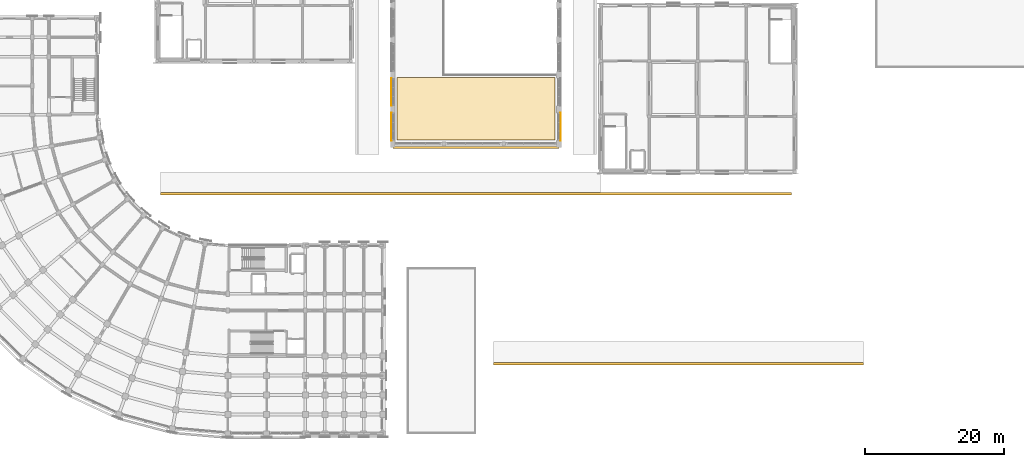
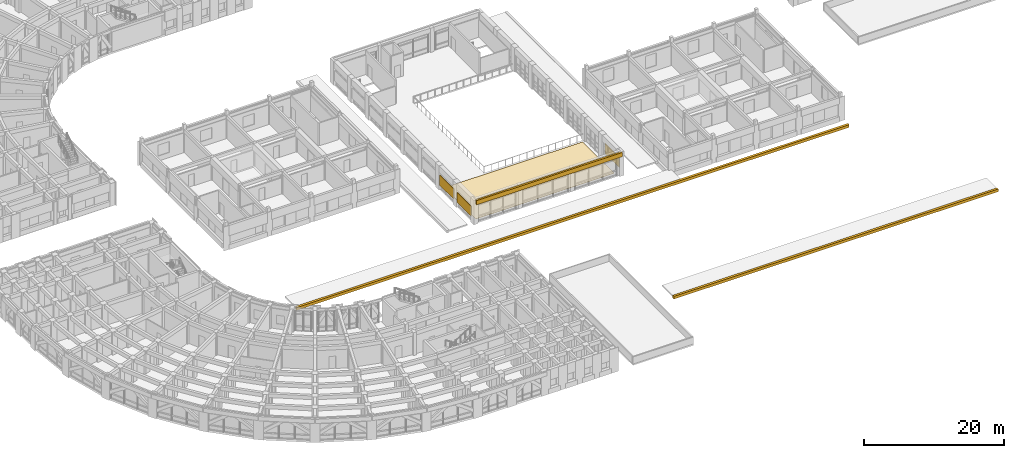
# One storey, part 86 of 97: 4 coverings, 3 shading devices.
"""IFC4 building model written with IfcOpenShell, lengths in metres."""

from ifc_helpers import new_model, si_unit, direction, frame, origin, origin_2d, place, context, subcontext, project, spatial, polyline, rectangle, outline, extrude, material, layer, layer_set, type_object, element, save


model = new_model("IFC4")

# Units and contexts
model_context = context("Model", 3, precision=1e-05, world=origin(), true_north=direction((0.0, 1.0)))
body_context = subcontext(model_context, "Body", "Model", "MODEL_VIEW")
ifc_project = project(units=[si_unit("LENGTHUNIT", "METRE"), si_unit("AREAUNIT", "SQUARE_METRE"), si_unit("VOLUMEUNIT", "CUBIC_METRE"), si_unit("PLANEANGLEUNIT", "RADIAN"), si_unit("MASSUNIT", "GRAM", prefix="KILO")], contexts=[model_context])

# Site, building, storey
site_placement = place(None, origin())
site = spatial("IfcSite", under=ifc_project, at=site_placement, CompositionType="ELEMENT")
building_placement = place(site_placement, origin())
building = spatial("IfcBuilding", under=site, at=building_placement, Name="Kiranvali Square Residences", CompositionType="ELEMENT")
storey_placement = place(building_placement, frame((0.0, 0.0, 4.5)))
storey = spatial("IfcBuildingStorey", under=building, at=storey_placement, Name="L01", CompositionType="ELEMENT", Elevation=4.5)

# Coverings
ifc_material_1 = material(Name="Carved Porbandar limestone classical entablature and cornice", Category="masonry")
ifc_layer_1 = layer(ifc_material_1, 0.449951171875)
ifc_layer_set_1 = layer_set([ifc_layer_1], Name="Carved Porbandar limestone classical entablature and cornice")
covering_type_1 = type_object("IfcCoveringType", Name="COV-CLAD-CORN", PredefinedType="CLADDING", material=ifc_layer_set_1)
covering_1_placement = place(storey_placement, frame((0.0, 0.0, 3.449951171875)))
element("IfcCovering", 1, at=covering_1_placement, inside=storey, type_object=covering_type_1, Name="Community Hall S Classical limestone vault springing entablature", PredefinedType="CLADDING", context=body_context, shape_type="SweptSolid", body=[
    extrude(outline(polyline([(72.0, 43.35009765625), (96.0, 43.35009765625), (96.0, 43.64794921875), (72.0, 43.64794921875), (72.0, 43.35009765625)])), origin(), (0.0, 0.0, 1.0), 0.72998046875),
])
covering_2_placement = place(storey_placement, frame((0.0, 0.0, 0.919921875)))
element("IfcCovering", 2, at=covering_2_placement, inside=storey, type_object=covering_type_1, Name="Classical Ottoman colonnade carved stone cornice CLAD-CORN-ARCSQ", PredefinedType="CLADDING", context=body_context, shape_type="SweptSolid", body=[
    extrude(outline(polyline([(86.5, 12.1201171875), (139.89990234375, 12.1201171875), (139.89990234375, 12.49951171875), (86.5, 12.49951171875), (86.5, 12.1201171875)])), origin(), (0.0, 0.0, 1.0), 0.4599609375),
])
covering_3_placement = place(storey_placement, frame((0.0, 0.0, 0.919921875)))
element("IfcCovering", 3, at=covering_3_placement, inside=storey, type_object=covering_type_1, Name="Classical Ottoman colonnade carved stone cornice CLAD-CORN-ARCGDNS", PredefinedType="CLADDING", context=body_context, shape_type="SweptSolid", body=[
    extrude(outline(polyline([(38.5, 36.6201171875), (129.5, 36.6201171875), (129.5, 36.99951171875), (38.5, 36.99951171875), (38.5, 36.6201171875)])), origin(), (0.0, 0.0, 1.0), 0.4599609375),
])
ifc_material_2 = material(Name="Polished terrazzo and anti-slip vitrified floor finish", Category="stone")
ifc_layer_2 = layer(ifc_material_2, 0.0380859375)
ifc_layer_set_2 = layer_set([ifc_layer_2], Name="Polished terrazzo and anti-slip vitrified floor finish")
covering_type_2 = type_object("IfcCoveringType", Name="COV-FLR-STONE38", PredefinedType="FLOORING", material=ifc_layer_set_2)
covering_4_placement = place(storey_placement, origin())
element("IfcCovering", 4, at=covering_4_placement, inside=storey, type_object=covering_type_2, Name="Community Hall upper gallery terrazzo flooring", PredefinedType="FLOORING", context=body_context, shape_type="SweptSolid", body=[
    extrude(outline(polyline([(72.60009765625, 44.60009765625), (95.39990234375, 44.60009765625), (95.39990234375, 53.60009765625), (72.60009765625, 53.60009765625), (72.60009765625, 44.60009765625)])), origin(), (0.0, 0.0, 1.0), 0.030029296875),
])

# Shading devices
ifc_material_3 = material(Name="Anodised bronze aluminium monsoon solar louvre", Category="aluminium")
shading_device_type_1 = type_object("IfcShadingDeviceType", Name="SHD-LVR-3000", PredefinedType="JALOUSIE", material=ifc_material_3)
for number, where, z_axis, x_axis, name in (
    (5, (71.820068359375, 46.5, 0.7998046875), (0.0, 0.0, 1.0), (1.0, 0.0, 0.0), "Community Hall carved stone Mashrabiya screen W1"),
    (6, (96.179931640625, 46.5, 0.7998046875), (0.0, 0.0, 1.0), (1.0, 0.0, 0.0), "Community Hall carved stone Mashrabiya screen E1"),
):
    element("IfcShadingDevice", number, at=place(storey_placement, frame(where, z_axis=z_axis, x_axis=x_axis)), inside=storey, type_object=shading_device_type_1, Name=name, PredefinedType="JALOUSIE", context=body_context, shape_type="SweptSolid", body=[
        extrude(rectangle(XDim=0.06005859375, YDim=4.02001953125, at=origin_2d()), origin(), (0.0, 0.0, 1.0), 1.800048828125),
    ])
shading_device_type_2 = type_object("IfcShadingDeviceType", Name="SHD-LVR-3400", PredefinedType="JALOUSIE", material=ifc_material_3)
shading_device_placement = place(storey_placement, frame((71.820068359375, 51.5, 0.7998046875), z_axis=(0.0, 0.0, 1.0), x_axis=(1.0, 0.0, 0.0)))
element("IfcShadingDevice", 7, at=shading_device_placement, inside=storey, type_object=shading_device_type_2, Name="Community Hall carved stone Mashrabiya screen W2", PredefinedType="JALOUSIE", context=body_context, shape_type="SweptSolid", body=[
    extrude(rectangle(XDim=0.06005859375, YDim=4.02001953125, at=origin_2d()), origin(), (0.0, 0.0, 1.0), 1.800048828125),
])

save(model, "model.ifc")
